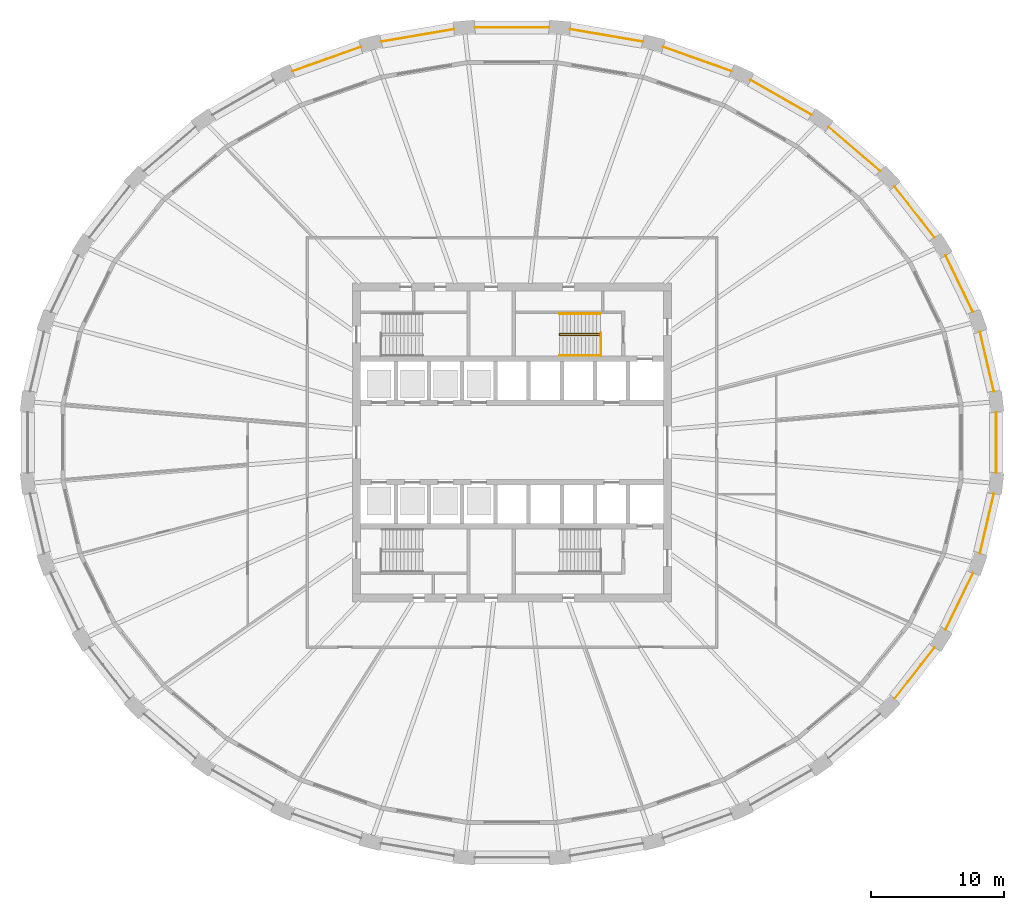
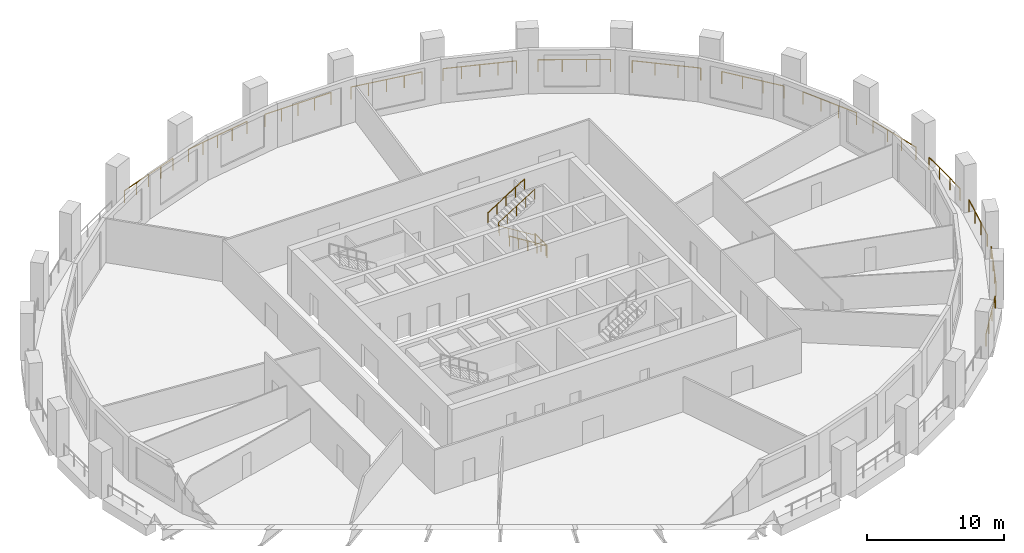
# One storey, part 10 of 11: 18 railings.
"""IFC4 building model written with IfcOpenShell, lengths in metres."""

from ifc_helpers import new_model, si_unit, direction, frame, origin, origin_2d, place, context, subcontext, project, spatial, circle, extrude, material, type_object, element, save


model = new_model("IFC4")

# Units and contexts
model_context = context("Model", 3, precision=1e-05, world=origin(), true_north=direction((0.0, 1.0)))
body_context = subcontext(model_context, "Body", "Model", "MODEL_VIEW")
ifc_project = project(units=[si_unit("LENGTHUNIT", "METRE"), si_unit("AREAUNIT", "SQUARE_METRE"), si_unit("VOLUMEUNIT", "CUBIC_METRE"), si_unit("PLANEANGLEUNIT", "RADIAN"), si_unit("MASSUNIT", "GRAM", prefix="KILO")], contexts=[model_context])

# Site, building, storey
site_placement = place(None, origin())
site = spatial("IfcSite", under=ifc_project, at=site_placement, CompositionType="ELEMENT")
building_placement = place(site_placement, origin())
building = spatial("IfcBuilding", under=site, at=building_placement, Name="Halqa Exchange Tower", CompositionType="ELEMENT")
storey_placement = place(building_placement, frame((0.0, 0.0, 78.10009765625)))
storey = spatial("IfcBuildingStorey", under=building, at=storey_placement, Name="L17", CompositionType="ELEMENT", Elevation=78.10009765625)

# Railings
ifc_material = material(Name="Stainless steel", Category="steel")
railing_type_1 = type_object("IfcRailingType", Name="Guard 1100 stainless steel", PredefinedType="GUARDRAIL", material=ifc_material)
railing_1_placement = place(storey_placement, frame((36.2744140625, 3.85693359375, 0.0)))
element("IfcRailing", 1, at=railing_1_placement, inside=storey, type_object=railing_type_1, Name="Loggia guard 1", PredefinedType="GUARDRAIL", context=body_context, shape_type="SweptSolid", body=[
    extrude(circle(Radius=0.02392578125, at=origin_2d()), frame((0.0, 0.0, 1.076171875), z_axis=(-0.226069418953, 0.974111193763, 0.0), x_axis=(-0.974111193763, -0.226069418953, 0.0)), (0.0, 0.0, 1.0), 4.59716796875),
    extrude(circle(Radius=0.02099609375, at=origin_2d()), origin(), (0.0, 0.0, 1.0), 1.052001953125),
    extrude(circle(Radius=0.02099609375, at=origin_2d()), frame((-0.346435546875, 1.49267578125, 0.0)), (0.0, 0.0, 1.0), 1.052001953125),
    extrude(circle(Radius=0.02099609375, at=origin_2d()), frame((-0.69287109375, 2.985595703125, 0.0)), (0.0, 0.0, 1.0), 1.052001953125),
    extrude(circle(Radius=0.02099609375, at=origin_2d()), frame((-1.039306640625, 4.478271484375, 0.0)), (0.0, 0.0, 1.0), 1.052001953125),
])
railing_2_placement = place(storey_placement, frame((34.706298828125, 9.834716796875, 0.0)))
element("IfcRailing", 2, at=railing_2_placement, inside=storey, type_object=railing_type_1, Name="Loggia guard 2", PredefinedType="GUARDRAIL", context=body_context, shape_type="SweptSolid", body=[
    extrude(circle(Radius=0.02392578125, at=origin_2d()), frame((0.0, 0.0, 1.076171875), z_axis=(-0.435121098841, 0.900371939447, 0.0), x_axis=(-0.900371939447, -0.435121098841, 0.0)), (0.0, 0.0, 1.0), 4.7158203125),
    extrude(circle(Radius=0.02099609375, at=origin_2d()), origin(), (0.0, 0.0, 1.0), 1.052001953125),
    extrude(circle(Radius=0.02099609375, at=origin_2d()), frame((-0.68408203125, 1.415283203125, 0.0)), (0.0, 0.0, 1.0), 1.052001953125),
    extrude(circle(Radius=0.02099609375, at=origin_2d()), frame((-1.367919921875, 2.830810546875, 0.0)), (0.0, 0.0, 1.0), 1.052001953125),
    extrude(circle(Radius=0.02099609375, at=origin_2d()), frame((-2.052001953125, 4.24609375, 0.0)), (0.0, 0.0, 1.0), 1.052001953125),
])
railing_3_placement = place(storey_placement, frame((31.814208984375, 15.43212890625, 0.0)))
element("IfcRailing", 3, at=railing_3_placement, inside=storey, type_object=railing_type_1, Name="Loggia guard 3", PredefinedType="GUARDRAIL", context=body_context, shape_type="SweptSolid", body=[
    extrude(circle(Radius=0.02392578125, at=origin_2d()), frame((0.0, 0.0, 1.076171875), z_axis=(-0.614773449853, 0.788703750059, 0.0), x_axis=(-0.788703750059, -0.614773449853, 0.0)), (0.0, 0.0, 1.0), 4.888916015625),
    extrude(circle(Radius=0.02099609375, at=origin_2d()), origin(), (0.0, 0.0, 1.0), 1.052001953125),
    extrude(circle(Radius=0.02099609375, at=origin_2d()), frame((-1.001953125, 1.285400390625, 0.0)), (0.0, 0.0, 1.0), 1.052001953125),
    extrude(circle(Radius=0.02099609375, at=origin_2d()), frame((-2.003662109375, 2.570556640625, 0.0)), (0.0, 0.0, 1.0), 1.052001953125),
    extrude(circle(Radius=0.02099609375, at=origin_2d()), frame((-3.005615234375, 3.85595703125, 0.0)), (0.0, 0.0, 1.0), 1.052001953125),
])
railing_4_placement = place(storey_placement, frame((27.709228515625, 20.439697265625, 0.0)))
element("IfcRailing", 4, at=railing_4_placement, inside=storey, type_object=railing_type_1, Name="Loggia guard 4", PredefinedType="GUARDRAIL", context=body_context, shape_type="SweptSolid", body=[
    extrude(circle(Radius=0.02392578125, at=origin_2d()), frame((0.0, 0.0, 1.076171875), z_axis=(-0.759270150969, 0.650775566419, 0.0), x_axis=(-0.650775566419, -0.759270150969, 0.0)), (0.0, 0.0, 1.0), 5.087890625),
    extrude(circle(Radius=0.02099609375, at=origin_2d()), origin(), (0.0, 0.0, 1.0), 1.052001953125),
    extrude(circle(Radius=0.02099609375, at=origin_2d()), frame((-1.28759765625, 1.103759765625, 0.0)), (0.0, 0.0, 1.0), 1.052001953125),
    extrude(circle(Radius=0.02099609375, at=origin_2d()), frame((-2.575439453125, 2.207275390625, 0.0)), (0.0, 0.0, 1.0), 1.052001953125),
    extrude(circle(Radius=0.02099609375, at=origin_2d()), frame((-3.863037109375, 3.31103515625, 0.0)), (0.0, 0.0, 1.0), 1.052001953125),
])
railing_5_placement = place(storey_placement, frame((22.544677734375, 24.6689453125, 0.0)))
element("IfcRailing", 5, at=railing_5_placement, inside=storey, type_object=railing_type_1, Name="Loggia guard 5", PredefinedType="GUARDRAIL", context=body_context, shape_type="SweptSolid", body=[
    extrude(circle(Radius=0.02392578125, at=origin_2d()), frame((0.0, 0.0, 1.076171875), z_axis=(-0.867759080411, 0.496985088674, 0.0), x_axis=(-0.496985088674, -0.867759080411, 0.0)), (0.0, 0.0, 1.0), 5.28076171875),
    extrude(circle(Radius=0.02099609375, at=origin_2d()), origin(), (0.0, 0.0, 1.0), 1.052001953125),
    extrude(circle(Radius=0.02099609375, at=origin_2d()), frame((-1.527587890625, 0.874755859375, 0.0)), (0.0, 0.0, 1.0), 1.052001953125),
    extrude(circle(Radius=0.02099609375, at=origin_2d()), frame((-3.054931640625, 1.749755859375, 0.0)), (0.0, 0.0, 1.0), 1.052001953125),
    extrude(circle(Radius=0.02099609375, at=origin_2d()), frame((-4.58251953125, 2.62451171875, 0.0)), (0.0, 0.0, 1.0), 1.052001953125),
])
railing_6_placement = place(storey_placement, frame((16.51416015625, 27.958740234375, 0.0)))
element("IfcRailing", 6, at=railing_6_placement, inside=storey, type_object=railing_type_1, Name="Loggia guard 6", PredefinedType="GUARDRAIL", context=body_context, shape_type="SweptSolid", body=[
    extrude(circle(Radius=0.02392578125, at=origin_2d()), frame((0.0, 0.0, 1.076171875), z_axis=(-0.94237481019, 0.334558988998, 0.0), x_axis=(-0.334558988998, -0.94237481019, 0.0)), (0.0, 0.0, 1.0), 5.440185546875),
    extrude(circle(Radius=0.02099609375, at=origin_2d()), origin(), (0.0, 0.0, 1.0), 1.052001953125),
    extrude(circle(Radius=0.02099609375, at=origin_2d()), frame((-1.28173828125, 0.455078125, 0.0)), (0.0, 0.0, 1.0), 1.052001953125),
    extrude(circle(Radius=0.02099609375, at=origin_2d()), frame((-2.5634765625, 0.91015625, 0.0)), (0.0, 0.0, 1.0), 1.052001953125),
    extrude(circle(Radius=0.02099609375, at=origin_2d()), frame((-3.844970703125, 1.364990234375, 0.0)), (0.0, 0.0, 1.0), 1.052001953125),
    extrude(circle(Radius=0.02099609375, at=origin_2d()), frame((-5.126708984375, 1.820068359375, 0.0)), (0.0, 0.0, 1.0), 1.052001953125),
])
railing_7_placement = place(storey_placement, frame((9.844970703125, 30.180908203125, 0.0)))
element("IfcRailing", 7, at=railing_7_placement, inside=storey, type_object=railing_type_1, Name="Loggia guard 7", PredefinedType="GUARDRAIL", context=body_context, shape_type="SweptSolid", body=[
    extrude(circle(Radius=0.02392578125, at=origin_2d()), frame((0.0, 0.0, 1.076171875), z_axis=(-0.985775416456, 0.168067927667, 0.0), x_axis=(-0.168067927667, -0.985775416456, 0.0)), (0.0, 0.0, 1.0), 5.544677734375),
    extrude(circle(Radius=0.02099609375, at=origin_2d()), origin(), (0.0, 0.0, 1.0), 1.052001953125),
    extrude(circle(Radius=0.02099609375, at=origin_2d()), frame((-1.366455078125, 0.23291015625, 0.0)), (0.0, 0.0, 1.0), 1.052001953125),
    extrude(circle(Radius=0.02099609375, at=origin_2d()), frame((-2.73291015625, 0.4658203125, 0.0)), (0.0, 0.0, 1.0), 1.052001953125),
    extrude(circle(Radius=0.02099609375, at=origin_2d()), frame((-4.099365234375, 0.698974609375, 0.0)), (0.0, 0.0, 1.0), 1.052001953125),
    extrude(circle(Radius=0.02099609375, at=origin_2d()), frame((-5.4658203125, 0.931884765625, 0.0)), (0.0, 0.0, 1.0), 1.052001953125),
])
railing_8_placement = place(storey_placement, frame((2.79052734375, 31.247314453125, 0.0)))
element("IfcRailing", 8, at=railing_8_placement, inside=storey, type_object=railing_type_1, Name="Loggia guard 8", PredefinedType="GUARDRAIL", context=body_context, shape_type="SweptSolid", body=[
    extrude(circle(Radius=0.02392578125, at=origin_2d()), frame((0.0, 0.0, 1.076171875), z_axis=(-1.0, 0.0, 0.0), x_axis=(0.0, -1.0, 0.0)), (0.0, 0.0, 1.0), 5.5810546875),
    extrude(circle(Radius=0.02099609375, at=origin_2d()), origin(), (0.0, 0.0, 1.0), 1.052001953125),
    extrude(circle(Radius=0.02099609375, at=origin_2d()), frame((-1.395263671875, 0.0, 0.0)), (0.0, 0.0, 1.0), 1.052001953125),
    extrude(circle(Radius=0.02099609375, at=origin_2d()), frame((-2.79052734375, 0.0, 0.0)), (0.0, 0.0, 1.0), 1.052001953125),
    extrude(circle(Radius=0.02099609375, at=origin_2d()), frame((-4.185791015625, 0.0, 0.0)), (0.0, 0.0, 1.0), 1.052001953125),
    extrude(circle(Radius=0.02099609375, at=origin_2d()), frame((-5.5810546875, 0.0, 0.0)), (0.0, 0.0, 1.0), 1.052001953125),
])
railing_9_placement = place(storey_placement, frame((-4.379150390625, 31.11279296875, 0.0)))
element("IfcRailing", 9, at=railing_9_placement, inside=storey, type_object=railing_type_1, Name="Loggia guard 9", PredefinedType="GUARDRAIL", context=body_context, shape_type="SweptSolid", body=[
    extrude(circle(Radius=0.02392578125, at=origin_2d()), frame((0.0, 0.0, 1.076171875), z_axis=(-0.985775416456, -0.168067927667, 0.0), x_axis=(0.168067927667, -0.985775416456, 0.0)), (0.0, 0.0, 1.0), 5.544677734375),
    extrude(circle(Radius=0.02099609375, at=origin_2d()), origin(), (0.0, 0.0, 1.0), 1.052001953125),
    extrude(circle(Radius=0.02099609375, at=origin_2d()), frame((-1.366455078125, -0.23291015625, 0.0)), (0.0, 0.0, 1.0), 1.052001953125),
    extrude(circle(Radius=0.02099609375, at=origin_2d()), frame((-2.73291015625, -0.4658203125, 0.0)), (0.0, 0.0, 1.0), 1.052001953125),
    extrude(circle(Radius=0.02099609375, at=origin_2d()), frame((-4.099365234375, -0.698974609375, 0.0)), (0.0, 0.0, 1.0), 1.052001953125),
    extrude(circle(Radius=0.02099609375, at=origin_2d()), frame((-5.4658203125, -0.931884765625, 0.0)), (0.0, 0.0, 1.0), 1.052001953125),
])
railing_10_placement = place(storey_placement, frame((-11.387451171875, 29.77880859375, 0.0)))
element("IfcRailing", 10, at=railing_10_placement, inside=storey, type_object=railing_type_1, Name="Loggia guard 10", PredefinedType="GUARDRAIL", context=body_context, shape_type="SweptSolid", body=[
    extrude(circle(Radius=0.02392578125, at=origin_2d()), frame((0.0, 0.0, 1.076171875), z_axis=(-0.94237481019, -0.334558988998, 0.0), x_axis=(0.334558988998, -0.94237481019, 0.0)), (0.0, 0.0, 1.0), 5.440185546875),
    extrude(circle(Radius=0.02099609375, at=origin_2d()), origin(), (0.0, 0.0, 1.0), 1.052001953125),
    extrude(circle(Radius=0.02099609375, at=origin_2d()), frame((-1.28173828125, -0.455078125, 0.0)), (0.0, 0.0, 1.0), 1.052001953125),
    extrude(circle(Radius=0.02099609375, at=origin_2d()), frame((-2.5634765625, -0.91015625, 0.0)), (0.0, 0.0, 1.0), 1.052001953125),
    extrude(circle(Radius=0.02099609375, at=origin_2d()), frame((-3.844970703125, -1.364990234375, 0.0)), (0.0, 0.0, 1.0), 1.052001953125),
    extrude(circle(Radius=0.02099609375, at=origin_2d()), frame((-5.126708984375, -1.820068359375, 0.0)), (0.0, 0.0, 1.0), 1.052001953125),
])
railing_11_placement = place(storey_placement, frame((28.80859375, -19.2880859375, 0.0)))
element("IfcRailing", 11, at=railing_11_placement, inside=storey, type_object=railing_type_1, Name="Loggia guard 29", PredefinedType="GUARDRAIL", context=body_context, shape_type="SweptSolid", body=[
    extrude(circle(Radius=0.02392578125, at=origin_2d()), frame((0.0, 0.0, 1.076171875), z_axis=(0.614773449853, 0.788703750059, 0.0), x_axis=(-0.788703750059, 0.614773449853, 0.0)), (0.0, 0.0, 1.0), 4.888916015625),
    extrude(circle(Radius=0.02099609375, at=origin_2d()), origin(), (0.0, 0.0, 1.0), 1.052001953125),
    extrude(circle(Radius=0.02099609375, at=origin_2d()), frame((1.001953125, 1.285400390625, 0.0)), (0.0, 0.0, 1.0), 1.052001953125),
    extrude(circle(Radius=0.02099609375, at=origin_2d()), frame((2.003662109375, 2.570556640625, 0.0)), (0.0, 0.0, 1.0), 1.052001953125),
    extrude(circle(Radius=0.02099609375, at=origin_2d()), frame((3.005615234375, 3.85595703125, 0.0)), (0.0, 0.0, 1.0), 1.052001953125),
])
railing_12_placement = place(storey_placement, frame((32.654296875, -14.080810546875, 0.0)))
element("IfcRailing", 12, at=railing_12_placement, inside=storey, type_object=railing_type_1, Name="Loggia guard 30", PredefinedType="GUARDRAIL", context=body_context, shape_type="SweptSolid", body=[
    extrude(circle(Radius=0.02392578125, at=origin_2d()), frame((0.0, 0.0, 1.076171875), z_axis=(0.435121098841, 0.900371939447, 0.0), x_axis=(-0.900371939447, 0.435121098841, 0.0)), (0.0, 0.0, 1.0), 4.7158203125),
    extrude(circle(Radius=0.02099609375, at=origin_2d()), origin(), (0.0, 0.0, 1.0), 1.052001953125),
    extrude(circle(Radius=0.02099609375, at=origin_2d()), frame((0.68408203125, 1.415283203125, 0.0)), (0.0, 0.0, 1.0), 1.052001953125),
    extrude(circle(Radius=0.02099609375, at=origin_2d()), frame((1.367919921875, 2.830810546875, 0.0)), (0.0, 0.0, 1.0), 1.052001953125),
    extrude(circle(Radius=0.02099609375, at=origin_2d()), frame((2.052001953125, 4.24609375, 0.0)), (0.0, 0.0, 1.0), 1.052001953125),
])
railing_13_placement = place(storey_placement, frame((35.235107421875, -8.335205078125, 0.0)))
element("IfcRailing", 13, at=railing_13_placement, inside=storey, type_object=railing_type_1, Name="Loggia guard 31", PredefinedType="GUARDRAIL", context=body_context, shape_type="SweptSolid", body=[
    extrude(circle(Radius=0.02392578125, at=origin_2d()), frame((0.0, 0.0, 1.076171875), z_axis=(0.226069418953, 0.974111193763, 0.0), x_axis=(-0.974111193763, 0.226069418953, 0.0)), (0.0, 0.0, 1.0), 4.59716796875),
    extrude(circle(Radius=0.02099609375, at=origin_2d()), origin(), (0.0, 0.0, 1.0), 1.052001953125),
    extrude(circle(Radius=0.02099609375, at=origin_2d()), frame((0.346435546875, 1.49267578125, 0.0)), (0.0, 0.0, 1.0), 1.052001953125),
    extrude(circle(Radius=0.02099609375, at=origin_2d()), frame((0.69287109375, 2.985595703125, 0.0)), (0.0, 0.0, 1.0), 1.052001953125),
    extrude(circle(Radius=0.02099609375, at=origin_2d()), frame((1.039306640625, 4.478271484375, 0.0)), (0.0, 0.0, 1.0), 1.052001953125),
])
railing_14_placement = place(storey_placement, frame((36.455078125, -2.277587890625, 0.0)))
element("IfcRailing", 14, at=railing_14_placement, inside=storey, type_object=railing_type_1, Name="Loggia guard 32", PredefinedType="GUARDRAIL", context=body_context, shape_type="SweptSolid", body=[
    extrude(circle(Radius=0.02392578125, at=origin_2d()), frame((0.0, 0.0, 1.076171875), z_axis=(0.0, 1.0, 0.0), x_axis=(-1.0, 0.0, 0.0)), (0.0, 0.0, 1.0), 4.55517578125),
    extrude(circle(Radius=0.02099609375, at=origin_2d()), origin(), (0.0, 0.0, 1.0), 1.052001953125),
    extrude(circle(Radius=0.02099609375, at=origin_2d()), frame((0.0, 1.518310546875, 0.0)), (0.0, 0.0, 1.0), 1.052001953125),
    extrude(circle(Radius=0.02099609375, at=origin_2d()), frame((0.0, 3.036865234375, 0.0)), (0.0, 0.0, 1.0), 1.052001953125),
    extrude(circle(Radius=0.02099609375, at=origin_2d()), frame((0.0, 4.55517578125, 0.0)), (0.0, 0.0, 1.0), 1.052001953125),
])
railing_type_2 = type_object("IfcRailingType", Name="Stair handrail 900", PredefinedType="HANDRAIL", material=ifc_material)
railing_15_placement = place(storey_placement, frame((6.64990234375, 8.06005859375, 0.1748046875)))
element("IfcRailing", 15, at=railing_15_placement, inside=storey, type_object=railing_type_2, Name="Handrail ST2.1", PredefinedType="HANDRAIL", context=body_context, shape_type="SweptSolid", body=[
    extrude(circle(Radius=0.02392578125, at=origin_2d()), frame((0.0, 0.0, 0.8759765625), z_axis=(-0.847979421464, 0.0, 0.530029150871), x_axis=(0.0, -1.0, 0.0)), (0.0, 0.0, 1.0), 3.632080078125),
    extrude(circle(Radius=0.02392578125, at=origin_2d()), frame((-3.079833984375, 0.0, 2.80078125), z_axis=(0.0, 0.595870227118, 0.803080738428), x_axis=(-1.0, 0.0, 0.0)), (0.0, 0.0, 1.0), 0.218017578125),
    extrude(circle(Radius=0.02392578125, at=origin_2d()), frame((-3.079833984375, 0.1298828125, 2.97607421875), z_axis=(0.847979421464, 0.0, 0.530029150871), x_axis=(0.0, 1.0, 0.0)), (0.0, 0.0, 1.0), 3.632080078125),
    extrude(circle(Radius=0.02099609375, at=origin_2d()), origin(), (0.0, 0.0, 1.0), 0.851806640625),
    extrude(circle(Radius=0.02099609375, at=origin_2d()), frame((-0.77001953125, 0.0, 0.481201171875)), (0.0, 0.0, 1.0), 0.851806640625),
    extrude(circle(Radius=0.02099609375, at=origin_2d()), frame((-1.5400390625, 0.0, 0.96240234375)), (0.0, 0.0, 1.0), 0.851806640625),
    extrude(circle(Radius=0.02099609375, at=origin_2d()), frame((-2.309814453125, 0.0, 1.44384765625)), (0.0, 0.0, 1.0), 0.851806640625),
    extrude(circle(Radius=0.02099609375, at=origin_2d()), frame((-3.079833984375, 0.0, 1.925048828125)), (0.0, 0.0, 1.0), 0.851806640625),
    extrude(circle(Radius=0.02099609375, at=origin_2d()), frame((-3.079833984375, 0.1298828125, 2.10009765625)), (0.0, 0.0, 1.0), 0.851806640625),
    extrude(circle(Radius=0.02099609375, at=origin_2d()), frame((-2.309814453125, 0.1298828125, 2.581298828125)), (0.0, 0.0, 1.0), 0.851806640625),
    extrude(circle(Radius=0.02099609375, at=origin_2d()), frame((-1.5400390625, 0.1298828125, 3.0625)), (0.0, 0.0, 1.0), 0.851806640625),
    extrude(circle(Radius=0.02099609375, at=origin_2d()), frame((-0.77001953125, 0.1298828125, 3.5439453125)), (0.0, 0.0, 1.0), 0.851806640625),
    extrude(circle(Radius=0.02099609375, at=origin_2d()), frame((0.0, 0.1298828125, 4.025146484375)), (0.0, 0.0, 1.0), 0.851806640625),
])
railing_16_placement = place(storey_placement, frame((6.64990234375, 6.550048828125, 0.1748046875)))
element("IfcRailing", 16, at=railing_16_placement, inside=storey, type_object=railing_type_2, Name="Handrail ST2.2", PredefinedType="HANDRAIL", context=body_context, shape_type="SweptSolid", body=[
    extrude(circle(Radius=0.02392578125, at=origin_2d()), frame((0.0, 0.0, 0.8759765625), z_axis=(-0.847979421464, 0.0, 0.530029150871), x_axis=(0.0, -1.0, 0.0)), (0.0, 0.0, 1.0), 3.632080078125),
    extrude(circle(Radius=0.02099609375, at=origin_2d()), origin(), (0.0, 0.0, 1.0), 0.851806640625),
    extrude(circle(Radius=0.02099609375, at=origin_2d()), frame((-0.77001953125, 0.0, 0.481201171875)), (0.0, 0.0, 1.0), 0.851806640625),
    extrude(circle(Radius=0.02099609375, at=origin_2d()), frame((-1.5400390625, 0.0, 0.96240234375)), (0.0, 0.0, 1.0), 0.851806640625),
    extrude(circle(Radius=0.02099609375, at=origin_2d()), frame((-2.309814453125, 0.0, 1.44384765625)), (0.0, 0.0, 1.0), 0.851806640625),
    extrude(circle(Radius=0.02099609375, at=origin_2d()), frame((-3.079833984375, 0.0, 1.925048828125)), (0.0, 0.0, 1.0), 0.851806640625),
])
railing_17_placement = place(storey_placement, frame((3.570068359375, 9.699951171875, 2.27490234375)))
element("IfcRailing", 17, at=railing_17_placement, inside=storey, type_object=railing_type_2, Name="Handrail ST2.3", PredefinedType="HANDRAIL", context=body_context, shape_type="SweptSolid", body=[
    extrude(circle(Radius=0.02392578125, at=origin_2d()), frame((0.0, 0.0, 0.8759765625), z_axis=(0.847979421464, 0.0, 0.530029150871), x_axis=(0.0, 1.0, 0.0)), (0.0, 0.0, 1.0), 3.632080078125),
    extrude(circle(Radius=0.02099609375, at=origin_2d()), origin(), (0.0, 0.0, 1.0), 0.851806640625),
    extrude(circle(Radius=0.02099609375, at=origin_2d()), frame((0.77001953125, 0.0, 0.481201171875)), (0.0, 0.0, 1.0), 0.851806640625),
    extrude(circle(Radius=0.02099609375, at=origin_2d()), frame((1.5400390625, 0.0, 0.96240234375)), (0.0, 0.0, 1.0), 0.851806640625),
    extrude(circle(Radius=0.02099609375, at=origin_2d()), frame((2.309814453125, 0.0, 1.44384765625)), (0.0, 0.0, 1.0), 0.851806640625),
    extrude(circle(Radius=0.02099609375, at=origin_2d()), frame((3.079833984375, 0.0, 1.925048828125)), (0.0, 0.0, 1.0), 0.851806640625),
])
railing_type_3 = type_object("IfcRailingType", Name="Stair well guard 1100", PredefinedType="GUARDRAIL", material=ifc_material)
railing_18_placement = place(storey_placement, frame((6.699951171875, 6.5, 0.0)))
element("IfcRailing", 18, at=railing_18_placement, inside=storey, type_object=railing_type_3, Name="Guard ST2 well", PredefinedType="GUARDRAIL", context=body_context, shape_type="SweptSolid", body=[
    extrude(circle(Radius=0.02392578125, at=origin_2d()), frame((0.0, 0.0, 1.076171875), z_axis=(0.0, 1.0, 0.0), x_axis=(-1.0, 0.0, 0.0)), (0.0, 0.0, 1.0), 1.75),
    extrude(circle(Radius=0.02099609375, at=origin_2d()), origin(), (0.0, 0.0, 1.0), 1.052001953125),
    extrude(circle(Radius=0.02099609375, at=origin_2d()), frame((0.0, 0.875, 0.0)), (0.0, 0.0, 1.0), 1.052001953125),
    extrude(circle(Radius=0.02099609375, at=origin_2d()), frame((0.0, 1.75, 0.0)), (0.0, 0.0, 1.0), 1.052001953125),
])

save(model, "model.ifc")
